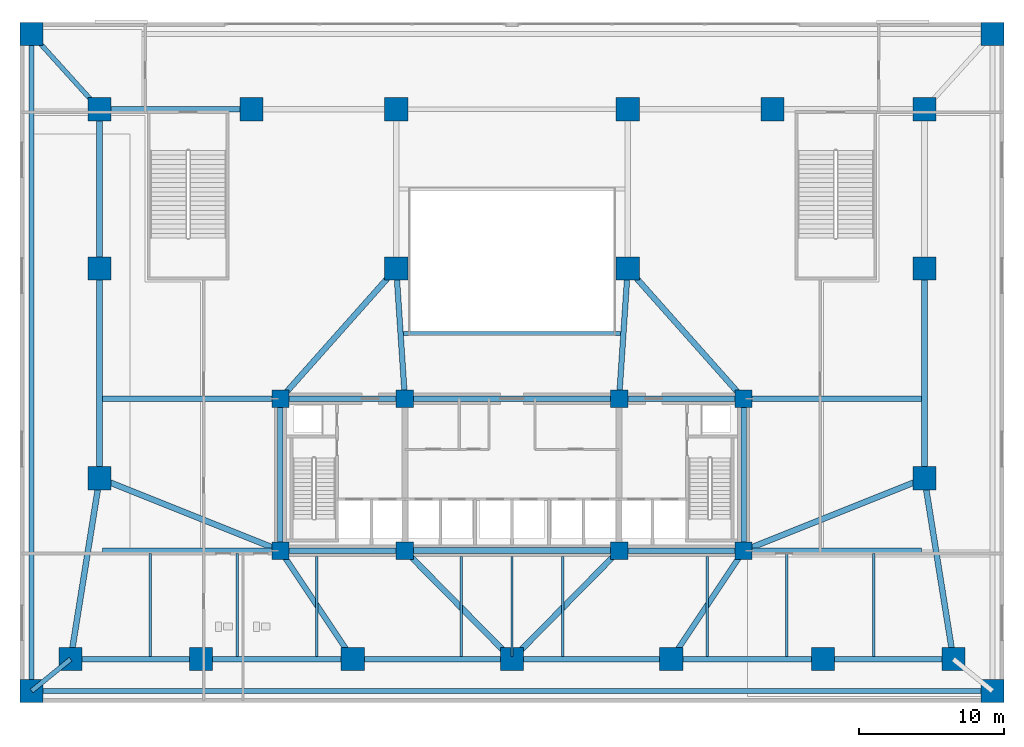
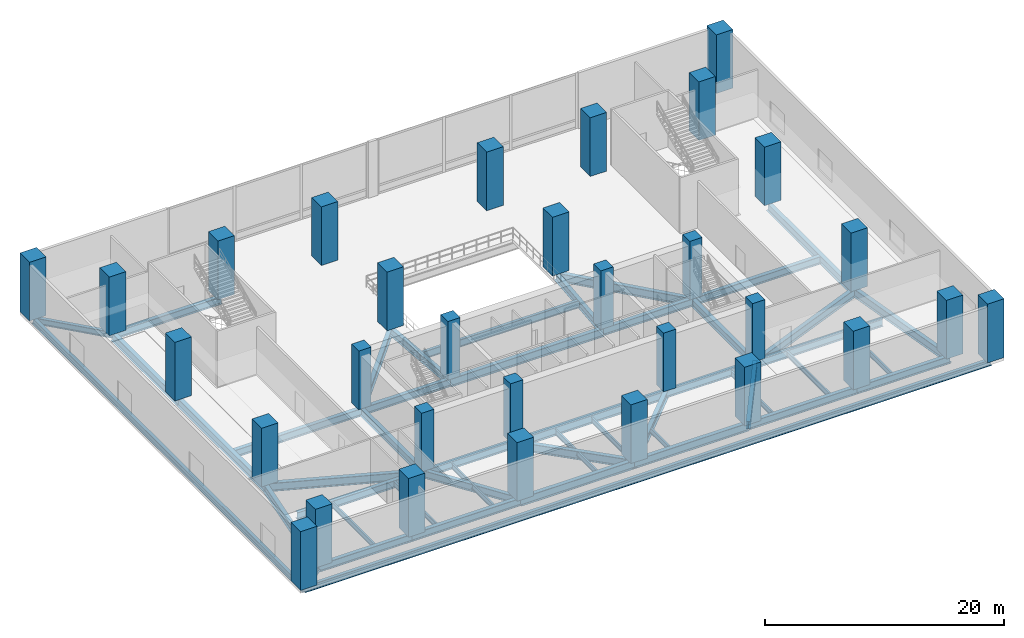
# One storey, part 1 of 16: 48 beams, 31 columns.
"""IFC4 building model written with IfcOpenShell, lengths in metres."""

from ifc_helpers import new_model, si_unit, direction, frame, origin, origin_2d, place, context, subcontext, project, spatial, rectangle, i_section, extrude, material, material_profile, profile_set, type_object, element, save


model = new_model("IFC4")

# Units and contexts
model_context = context("Model", 3, precision=1e-05, world=origin(), true_north=direction((0.0, 1.0)))
body_context = subcontext(model_context, "Body", "Model", "MODEL_VIEW")
ifc_project = project(units=[si_unit("LENGTHUNIT", "METRE"), si_unit("AREAUNIT", "SQUARE_METRE"), si_unit("VOLUMEUNIT", "CUBIC_METRE"), si_unit("PLANEANGLEUNIT", "RADIAN"), si_unit("MASSUNIT", "GRAM", prefix="KILO")], contexts=[model_context])

# Site, building, storey
site_placement = place(None, origin())
site = spatial("IfcSite", under=ifc_project, at=site_placement, CompositionType="ELEMENT")
building_placement = place(site_placement, origin())
building = spatial("IfcBuilding", under=site, at=building_placement, Name="Solmavex Isthmus Hotel", CompositionType="ELEMENT")
storey_placement = place(building_placement, frame((0.0, 0.0, 5.39990234375)))
storey = spatial("IfcBuildingStorey", under=building, at=storey_placement, Name="L02", CompositionType="ELEMENT", Elevation=5.39990234375)

# Columns
ifc_material_1 = material(Name="Concrete C70/85", Category="concrete")
ifc_material_profile_1 = material_profile(ifc_material_1, rectangle(XDim=1.199951171875, YDim=1.199951171875, at=origin_2d()), Name="RC1200X1200")
ifc_profile_set_1 = profile_set([ifc_material_profile_1], Name="Concrete C70/85")
column_type_1 = type_object("IfcColumnType", Name="COL-CC-1200", PredefinedType="COLUMN", material=ifc_profile_set_1)
for number, where, z_axis, x_axis, name in (
    (1, (-16.0, -13.0, 0.0), (0.0, 0.0, 1.0), (1.0, 0.0, 0.0), "Core Pilaster CC-SW L02"),
    (2, (-7.39990234375, -13.0, 0.0), (0.0, 0.0, 1.0), (1.0, 0.0, 0.0), "Core Pilaster CC-S1 L02"),
    (3, (7.39990234375, -13.0, 0.0), (0.0, 0.0, 1.0), (1.0, 0.0, 0.0), "Core Pilaster CC-S2 L02"),
    (4, (16.0, -13.0, 0.0), (0.0, 0.0, 1.0), (1.0, 0.0, 0.0), "Core Pilaster CC-SE L02"),
    (5, (-16.0, -2.5, 0.0), (0.0, 0.0, 1.0), (1.0, 0.0, 0.0), "Core Pilaster CC-NW L02"),
    (6, (-7.39990234375, -2.5, 0.0), (0.0, 0.0, 1.0), (1.0, 0.0, 0.0), "Core Pilaster CC-N1 L02"),
    (7, (7.39990234375, -2.5, 0.0), (0.0, 0.0, 1.0), (1.0, 0.0, 0.0), "Core Pilaster CC-N2 L02"),
    (8, (16.0, -2.5, 0.0), (0.0, 0.0, 1.0), (1.0, 0.0, 0.0), "Core Pilaster CC-NE L02"),
):
    element("IfcColumn", number, at=place(storey_placement, frame(where, z_axis=z_axis, x_axis=x_axis)), inside=storey, type_object=column_type_1, Name=name, PredefinedType="COLUMN", context=body_context, shape_type="SweptSolid", body=[
        extrude(rectangle(XDim=1.199951171875, YDim=1.199951171875, at=origin_2d()), origin(), (0.0, 0.0, 1.0), 6.0),
    ])
ifc_material_profile_2 = material_profile(ifc_material_1, rectangle(XDim=1.60009765625, YDim=1.60009765625, at=origin_2d()), Name="RC1600X1600")
ifc_profile_set_2 = profile_set([ifc_material_profile_2], Name="Concrete C70/85")
column_type_2 = type_object("IfcColumnType", Name="COL-MC-1600", PredefinedType="COLUMN", material=ifc_profile_set_2)
for number, where, z_axis, x_axis, name in (
    (9, (-33.199951171875, -22.699951171875, 0.0), (0.0, 0.0, 1.0), (1.0, 0.0, 0.0), "Podium Mega Column MC-SW L02"),
    (10, (33.199951171875, -22.699951171875, 0.0), (0.0, 0.0, 1.0), (1.0, 0.0, 0.0), "Podium Mega Column MC-SE L02"),
    (11, (-33.199951171875, 22.699951171875, 0.0), (0.0, 0.0, 1.0), (1.0, 0.0, 0.0), "Podium Mega Column MC-NW L02"),
    (12, (33.199951171875, 22.699951171875, 0.0), (0.0, 0.0, 1.0), (1.0, 0.0, 0.0), "Podium Mega Column MC-NE L02"),
    (13, (-30.5, -20.5, 0.0), (0.0, 0.0, 1.0), (1.0, 0.0, 0.0), "Podium Mega Column MC-S1 L02"),
    (14, (-21.5, -20.5, 0.0), (0.0, 0.0, 1.0), (1.0, 0.0, 0.0), "Podium Mega Column MC-S2 L02"),
    (15, (-11.0, -20.5, 0.0), (0.0, 0.0, 1.0), (1.0, 0.0, 0.0), "Podium Mega Column MC-S3 L02"),
    (16, (0.0, -20.5, 0.0), (0.0, 0.0, 1.0), (1.0, 0.0, 0.0), "Podium Mega Column MC-S4 L02"),
    (17, (11.0, -20.5, 0.0), (0.0, 0.0, 1.0), (1.0, 0.0, 0.0), "Podium Mega Column MC-S5 L02"),
    (18, (21.5, -20.5, 0.0), (0.0, 0.0, 1.0), (1.0, 0.0, 0.0), "Podium Mega Column MC-S6 L02"),
    (19, (30.5, -20.5, 0.0), (0.0, 0.0, 1.0), (1.0, 0.0, 0.0), "Podium Mega Column MC-S7 L02"),
    (20, (-28.5, -8.0, 0.0), (0.0, 0.0, 1.0), (1.0, 0.0, 0.0), "Podium Mega Column MC-W1 L02"),
    (21, (28.5, -8.0, 0.0), (0.0, 0.0, 1.0), (1.0, 0.0, 0.0), "Podium Mega Column MC-E1 L02"),
    (22, (-28.5, 6.5, 0.0), (0.0, 0.0, 1.0), (1.0, 0.0, 0.0), "Podium Mega Column MC-M1 L02"),
    (23, (-8.0, 6.5, 0.0), (0.0, 0.0, 1.0), (1.0, 0.0, 0.0), "Podium Mega Column MC-M2 L02"),
    (24, (8.0, 6.5, 0.0), (0.0, 0.0, 1.0), (1.0, 0.0, 0.0), "Podium Mega Column MC-M3 L02"),
    (25, (28.5, 6.5, 0.0), (0.0, 0.0, 1.0), (1.0, 0.0, 0.0), "Podium Mega Column MC-M4 L02"),
    (26, (-28.5, 17.5, 0.0), (0.0, 0.0, 1.0), (1.0, 0.0, 0.0), "Podium Mega Column MC-N1 L02"),
    (27, (-18.0, 17.5, 0.0), (0.0, 0.0, 1.0), (1.0, 0.0, 0.0), "Podium Mega Column MC-N2 L02"),
    (28, (-8.0, 17.5, 0.0), (0.0, 0.0, 1.0), (1.0, 0.0, 0.0), "Podium Mega Column MC-N3 L02"),
    (29, (8.0, 17.5, 0.0), (0.0, 0.0, 1.0), (1.0, 0.0, 0.0), "Podium Mega Column MC-N4 L02"),
    (30, (18.0, 17.5, 0.0), (0.0, 0.0, 1.0), (1.0, 0.0, 0.0), "Podium Mega Column MC-N5 L02"),
    (31, (28.5, 17.5, 0.0), (0.0, 0.0, 1.0), (1.0, 0.0, 0.0), "Podium Mega Column MC-N6 L02"),
):
    element("IfcColumn", number, at=place(storey_placement, frame(where, z_axis=z_axis, x_axis=x_axis)), inside=storey, type_object=column_type_2, Name=name, PredefinedType="COLUMN", context=body_context, shape_type="SweptSolid", body=[
        extrude(rectangle(XDim=1.60009765625, YDim=1.60009765625, at=origin_2d()), origin(), (0.0, 0.0, 1.0), 6.0),
    ])

# Beams
ifc_material_2 = material(Name="Steel ASTM A992 Grade 50", Category="steel")
ifc_material_profile_3 = material_profile(ifc_material_2, i_section(OverallWidth=0.2666015625, OverallDepth=0.76220703125, WebThickness=0.014404296875, FlangeThickness=0.021484375, FilletRadius=0.01904296875, at=origin_2d()), Name="W30X116")
ifc_profile_set_3 = profile_set([ifc_material_profile_3], Name="Steel ASTM A992 Grade 50")
beam_type_1 = type_object("IfcBeamType", Name="BM-BG-W30X116", PredefinedType="BEAM", material=ifc_profile_set_3)
beam_1_placement = place(storey_placement, frame((-7.81005859375, 2.0, -0.68115234375), z_axis=(1.0, 0.0, 0.0), x_axis=(0.0, 1.0, 0.0)))
element("IfcBeam", 32, at=beam_1_placement, inside=storey, type_object=beam_type_1, Name="Atrium Trimmer Girder L02-AT1", PredefinedType="BEAM", context=body_context, shape_type="SweptSolid", body=[
    extrude(i_section(OverallWidth=0.2666015625, OverallDepth=0.76220703125, WebThickness=0.014404296875, FlangeThickness=0.021484375, FilletRadius=0.01904296875, at=origin_2d()), origin(), (0.0, 0.0, 1.0), 15.6201171875),
])
ifc_material_profile_4 = material_profile(ifc_material_2, i_section(OverallWidth=0.380615234375, OverallDepth=0.773193359375, WebThickness=0.0166015625, FlangeThickness=0.027099609375, FilletRadius=0.01904296875, at=origin_2d()), Name="W30X173")
ifc_profile_set_4 = profile_set([ifc_material_profile_4], Name="Steel ASTM A992 Grade 50")
beam_type_2 = type_object("IfcBeamType", Name="BM-BG-W30X173", PredefinedType="BEAM", material=ifc_profile_set_4)
beam_2_placement = place(storey_placement, frame((-30.5, -20.5, -0.6865234375), z_axis=(1.0, 0.0, 0.0), x_axis=(0.0, 1.0, 0.0)))
element("IfcBeam", 33, at=beam_2_placement, inside=storey, type_object=beam_type_2, Name="Podium Primary Girder L02-G01", PredefinedType="BEAM", context=body_context, shape_type="SweptSolid", body=[
    extrude(i_section(OverallWidth=0.380615234375, OverallDepth=0.773193359375, WebThickness=0.0166015625, FlangeThickness=0.027099609375, FilletRadius=0.01904296875, at=origin_2d()), origin(), (0.0, 0.0, 1.0), 9.0),
])
for number, where, z_axis, x_axis, name in (
    (34, (-21.5, -20.5, -0.6865234375), (1.0, 0.0, 0.0), (0.0, 1.0, 0.0), "Podium Primary Girder L02-G02"),
    (35, (11.0, -20.5, -0.6865234375), (1.0, 0.0, 0.0), (0.0, 1.0, 0.0), "Podium Primary Girder L02-G05"),
):
    element("IfcBeam", number, at=place(storey_placement, frame(where, z_axis=z_axis, x_axis=x_axis)), inside=storey, type_object=beam_type_2, Name=name, PredefinedType="BEAM", context=body_context, shape_type="SweptSolid", body=[
        extrude(i_section(OverallWidth=0.380615234375, OverallDepth=0.773193359375, WebThickness=0.0166015625, FlangeThickness=0.027099609375, FilletRadius=0.01904296875, at=origin_2d()), origin(), (0.0, 0.0, 1.0), 10.5),
    ])
beam_3_placement = place(storey_placement, frame((21.5, -20.5, -0.6865234375), z_axis=(1.0, 0.0, 0.0), x_axis=(0.0, 1.0, 0.0)))
element("IfcBeam", 36, at=beam_3_placement, inside=storey, type_object=beam_type_2, Name="Podium Primary Girder L02-G06", PredefinedType="BEAM", context=body_context, shape_type="SweptSolid", body=[
    extrude(i_section(OverallWidth=0.380615234375, OverallDepth=0.773193359375, WebThickness=0.0166015625, FlangeThickness=0.027099609375, FilletRadius=0.01904296875, at=origin_2d()), origin(), (0.0, 0.0, 1.0), 9.0),
])
beam_4_placement = place(storey_placement, frame((-28.5, 17.5, -0.6865234375), z_axis=(1.0, 0.0, 0.0), x_axis=(0.0, 1.0, 0.0)))
element("IfcBeam", 37, at=beam_4_placement, inside=storey, type_object=beam_type_2, Name="Podium Primary Girder L02-G07", PredefinedType="BEAM", context=body_context, shape_type="SweptSolid", body=[
    extrude(i_section(OverallWidth=0.380615234375, OverallDepth=0.773193359375, WebThickness=0.0166015625, FlangeThickness=0.027099609375, FilletRadius=0.01904296875, at=origin_2d()), origin(), (0.0, 0.0, 1.0), 10.5),
])
for number, where, z_axis, x_axis, name in (
    (38, (-11.0, -20.5, -0.6865234375), (-0.554700196225, 0.832050294338, 0.0), (-0.832050294338, -0.554700196225, 0.0), "Podium Primary Girder L02-G21"),
    (39, (11.0, -20.5, -0.6865234375), (0.554700196225, 0.832050294338, 0.0), (-0.832050294338, 0.554700196225, 0.0), "Podium Primary Girder L02-G24"),
):
    element("IfcBeam", number, at=place(storey_placement, frame(where, z_axis=z_axis, x_axis=x_axis)), inside=storey, type_object=beam_type_2, Name=name, PredefinedType="BEAM", context=body_context, shape_type="SweptSolid", body=[
        extrude(i_section(OverallWidth=0.380615234375, OverallDepth=0.773193359375, WebThickness=0.0166015625, FlangeThickness=0.027099609375, FilletRadius=0.01904296875, at=origin_2d()), origin(), (0.0, 0.0, 1.0), 9.013916015625),
    ])
for number, where, z_axis, x_axis, name in (
    (40, (-7.39990234375, -2.5, -0.6865234375), (-0.066529789268, 0.997784439215, 0.0), (-0.997784439215, -0.066529789268, 0.0), "Podium Primary Girder L02-G26"),
    (41, (7.39990234375, -2.5, -0.6865234375), (0.066529789268, 0.997784439215, 0.0), (-0.997784439215, 0.066529789268, 0.0), "Podium Primary Girder L02-G27"),
):
    element("IfcBeam", number, at=place(storey_placement, frame(where, z_axis=z_axis, x_axis=x_axis)), inside=storey, type_object=beam_type_2, Name=name, PredefinedType="BEAM", context=body_context, shape_type="SweptSolid", body=[
        extrude(i_section(OverallWidth=0.380615234375, OverallDepth=0.773193359375, WebThickness=0.0166015625, FlangeThickness=0.027099609375, FilletRadius=0.01904296875, at=origin_2d()), origin(), (0.0, 0.0, 1.0), 9.02001953125),
    ])
for number, where, z_axis, x_axis, name in (
    (42, (-16.0, -13.0, -0.6865234375), (1.0, 0.0, 0.0), (0.0, 1.0, 0.0), "Podium Primary Girder L02-G33"),
    (43, (7.39990234375, -13.0, -0.6865234375), (1.0, 0.0, 0.0), (0.0, 1.0, 0.0), "Podium Primary Girder L02-G35"),
    (44, (-16.0, -2.5, -0.6865234375), (1.0, 0.0, 0.0), (0.0, 1.0, 0.0), "Podium Primary Girder L02-G36"),
    (45, (7.39990234375, -2.5, -0.6865234375), (1.0, 0.0, 0.0), (0.0, 1.0, 0.0), "Podium Primary Girder L02-G38"),
):
    element("IfcBeam", number, at=place(storey_placement, frame(where, z_axis=z_axis, x_axis=x_axis)), inside=storey, type_object=beam_type_2, Name=name, PredefinedType="BEAM", context=body_context, shape_type="SweptSolid", body=[
        extrude(i_section(OverallWidth=0.380615234375, OverallDepth=0.773193359375, WebThickness=0.0166015625, FlangeThickness=0.027099609375, FilletRadius=0.01904296875, at=origin_2d()), origin(), (0.0, 0.0, 1.0), 8.60009765625),
    ])
for number, where, z_axis, x_axis, name in (
    (46, (-16.0, -13.0, -0.6865234375), (0.0, 1.0, 0.0), (-1.0, 0.0, 0.0), "Podium Primary Girder L02-G39"),
    (47, (16.0, -13.0, -0.6865234375), (0.0, 1.0, 0.0), (-1.0, 0.0, 0.0), "Podium Primary Girder L02-G40"),
):
    element("IfcBeam", number, at=place(storey_placement, frame(where, z_axis=z_axis, x_axis=x_axis)), inside=storey, type_object=beam_type_2, Name=name, PredefinedType="BEAM", context=body_context, shape_type="SweptSolid", body=[
        extrude(i_section(OverallWidth=0.380615234375, OverallDepth=0.773193359375, WebThickness=0.0166015625, FlangeThickness=0.027099609375, FilletRadius=0.01904296875, at=origin_2d()), origin(), (0.0, 0.0, 1.0), 10.5),
    ])
for number, where, z_axis, x_axis, name in (
    (48, (-28.31005859375, -2.5, -0.6865234375), (1.0, 0.0, 0.0), (0.0, 1.0, 0.0), "Podium Wing Collector Girder L02-EW01"),
    (49, (16.0, -2.5, -0.6865234375), (1.0, 0.0, 0.0), (0.0, 1.0, 0.0), "Podium Wing Collector Girder L02-EW02"),
    (50, (-28.31005859375, -13.0, -0.6865234375), (1.0, 0.0, 0.0), (0.0, 1.0, 0.0), "Podium Wing Collector Girder L02-EW03"),
    (51, (16.0, -13.0, -0.6865234375), (1.0, 0.0, 0.0), (0.0, 1.0, 0.0), "Podium Wing Collector Girder L02-EW04"),
):
    element("IfcBeam", number, at=place(storey_placement, frame(where, z_axis=z_axis, x_axis=x_axis)), inside=storey, type_object=beam_type_2, Name=name, PredefinedType="BEAM", context=body_context, shape_type="SweptSolid", body=[
        extrude(i_section(OverallWidth=0.380615234375, OverallDepth=0.773193359375, WebThickness=0.0166015625, FlangeThickness=0.027099609375, FilletRadius=0.01904296875, at=origin_2d()), origin(), (0.0, 0.0, 1.0), 12.31005859375),
    ])
ifc_material_profile_5 = material_profile(ifc_material_2, i_section(OverallWidth=0.39990234375, OverallDepth=0.85546875, WebThickness=0.018310546875, FlangeThickness=0.029296875, FilletRadius=0.020263671875, at=origin_2d()), Name="W33X201")
ifc_profile_set_5 = profile_set([ifc_material_profile_5], Name="Steel ASTM A992 Grade 50")
beam_type_3 = type_object("IfcBeamType", Name="BM-BG-W33X201", PredefinedType="BEAM", material=ifc_profile_set_5)
for number, where, z_axis, x_axis, name in (
    (52, (-11.0, -20.5, -0.7275390625), (1.0, 0.0, 0.0), (0.0, 1.0, 0.0), "Podium Primary Girder L02-G03"),
    (53, (0.0, -20.5, -0.7275390625), (1.0, 0.0, 0.0), (0.0, 1.0, 0.0), "Podium Primary Girder L02-G04"),
):
    element("IfcBeam", number, at=place(storey_placement, frame(where, z_axis=z_axis, x_axis=x_axis)), inside=storey, type_object=beam_type_3, Name=name, PredefinedType="BEAM", context=body_context, shape_type="SweptSolid", body=[
        extrude(i_section(OverallWidth=0.39990234375, OverallDepth=0.85546875, WebThickness=0.018310546875, FlangeThickness=0.029296875, FilletRadius=0.020263671875, at=origin_2d()), origin(), (0.0, 0.0, 1.0), 11.0),
    ])
beam_5_placement = place(storey_placement, frame((-30.5, -20.5, -0.7275390625), z_axis=(0.157990501107, 0.987440631917, 0.0), x_axis=(-0.987440631917, 0.157990501107, 0.0)))
element("IfcBeam", 54, at=beam_5_placement, inside=storey, type_object=beam_type_3, Name="Podium Primary Girder L02-G12", PredefinedType="BEAM", context=body_context, shape_type="SweptSolid", body=[
    extrude(i_section(OverallWidth=0.39990234375, OverallDepth=0.85546875, WebThickness=0.018310546875, FlangeThickness=0.029296875, FilletRadius=0.020263671875, at=origin_2d()), origin(), (0.0, 0.0, 1.0), 12.658935546875),
])
beam_6_placement = place(storey_placement, frame((-28.5, -8.0, -0.7275390625), z_axis=(0.0, 1.0, 0.0), x_axis=(-1.0, 0.0, 0.0)))
element("IfcBeam", 55, at=beam_6_placement, inside=storey, type_object=beam_type_3, Name="Podium Primary Girder L02-G13", PredefinedType="BEAM", context=body_context, shape_type="SweptSolid", body=[
    extrude(i_section(OverallWidth=0.39990234375, OverallDepth=0.85546875, WebThickness=0.018310546875, FlangeThickness=0.029296875, FilletRadius=0.020263671875, at=origin_2d()), origin(), (0.0, 0.0, 1.0), 14.5),
])
beam_7_placement = place(storey_placement, frame((-28.5, 6.5, -0.7275390625), z_axis=(0.0, 1.0, 0.0), x_axis=(-1.0, 0.0, 0.0)))
element("IfcBeam", 56, at=beam_7_placement, inside=storey, type_object=beam_type_3, Name="Podium Primary Girder L02-G14", PredefinedType="BEAM", context=body_context, shape_type="SweptSolid", body=[
    extrude(i_section(OverallWidth=0.39990234375, OverallDepth=0.85546875, WebThickness=0.018310546875, FlangeThickness=0.029296875, FilletRadius=0.020263671875, at=origin_2d()), origin(), (0.0, 0.0, 1.0), 11.0),
])
beam_8_placement = place(storey_placement, frame((30.5, -20.5, -0.7275390625), z_axis=(-0.157990501107, 0.987440631917, 0.0), x_axis=(-0.987440631917, -0.157990501107, 0.0)))
element("IfcBeam", 57, at=beam_8_placement, inside=storey, type_object=beam_type_3, Name="Podium Primary Girder L02-G15", PredefinedType="BEAM", context=body_context, shape_type="SweptSolid", body=[
    extrude(i_section(OverallWidth=0.39990234375, OverallDepth=0.85546875, WebThickness=0.018310546875, FlangeThickness=0.029296875, FilletRadius=0.020263671875, at=origin_2d()), origin(), (0.0, 0.0, 1.0), 12.658935546875),
])
beam_9_placement = place(storey_placement, frame((28.5, -8.0, -0.7275390625), z_axis=(0.0, 1.0, 0.0), x_axis=(-1.0, 0.0, 0.0)))
element("IfcBeam", 58, at=beam_9_placement, inside=storey, type_object=beam_type_3, Name="Podium Primary Girder L02-G16", PredefinedType="BEAM", context=body_context, shape_type="SweptSolid", body=[
    extrude(i_section(OverallWidth=0.39990234375, OverallDepth=0.85546875, WebThickness=0.018310546875, FlangeThickness=0.029296875, FilletRadius=0.020263671875, at=origin_2d()), origin(), (0.0, 0.0, 1.0), 14.5),
])
for number, where, z_axis, x_axis, name in (
    (59, (0.0, -20.5, -0.7275390625), (-0.702340583794, 0.711841066781, 0.0), (-0.711841066781, -0.702340583794, 0.0), "Podium Primary Girder L02-G22"),
    (60, (0.0, -20.5, -0.7275390625), (0.702340583794, 0.711841066781, 0.0), (-0.711841066781, 0.702340583794, 0.0), "Podium Primary Girder L02-G23"),
):
    element("IfcBeam", number, at=place(storey_placement, frame(where, z_axis=z_axis, x_axis=x_axis)), inside=storey, type_object=beam_type_3, Name=name, PredefinedType="BEAM", context=body_context, shape_type="SweptSolid", body=[
        extrude(i_section(OverallWidth=0.39990234375, OverallDepth=0.85546875, WebThickness=0.018310546875, FlangeThickness=0.029296875, FilletRadius=0.020263671875, at=origin_2d()), origin(), (0.0, 0.0, 1.0), 10.5361328125),
    ])
for number, where, z_axis, x_axis, name in (
    (61, (-16.0, -2.5, -0.7275390625), (0.66436383883, 0.747409318684, 0.0), (-0.747409318684, 0.66436383883, 0.0), "Podium Primary Girder L02-G25"),
    (62, (16.0, -2.5, -0.7275390625), (-0.66436383883, 0.747409318684, 0.0), (-0.747409318684, -0.66436383883, 0.0), "Podium Primary Girder L02-G28"),
):
    element("IfcBeam", number, at=place(storey_placement, frame(where, z_axis=z_axis, x_axis=x_axis)), inside=storey, type_object=beam_type_3, Name=name, PredefinedType="BEAM", context=body_context, shape_type="SweptSolid", body=[
        extrude(i_section(OverallWidth=0.39990234375, OverallDepth=0.85546875, WebThickness=0.018310546875, FlangeThickness=0.029296875, FilletRadius=0.020263671875, at=origin_2d()), origin(), (0.0, 0.0, 1.0), 12.04150390625),
    ])
for number, where, z_axis, x_axis, name in (
    (63, (-28.5, -8.0, -0.7275390625), (0.928476690885, -0.371390676354, 0.0), (0.371390676354, 0.928476690885, 0.0), "Podium Primary Girder L02-G31"),
    (64, (28.5, -8.0, -0.7275390625), (-0.928476690885, -0.371390676354, 0.0), (0.371390676354, -0.928476690885, 0.0), "Podium Primary Girder L02-G32"),
):
    element("IfcBeam", number, at=place(storey_placement, frame(where, z_axis=z_axis, x_axis=x_axis)), inside=storey, type_object=beam_type_3, Name=name, PredefinedType="BEAM", context=body_context, shape_type="SweptSolid", body=[
        extrude(i_section(OverallWidth=0.39990234375, OverallDepth=0.85546875, WebThickness=0.018310546875, FlangeThickness=0.029296875, FilletRadius=0.020263671875, at=origin_2d()), origin(), (0.0, 0.0, 1.0), 13.462890625),
    ])
for number, where, z_axis, x_axis, name in (
    (65, (-7.39990234375, -13.0, -0.7275390625), (1.0, 0.0, 0.0), (0.0, 1.0, 0.0), "Podium Primary Girder L02-G34"),
    (66, (-7.39990234375, -2.5, -0.7275390625), (1.0, 0.0, 0.0), (0.0, 1.0, 0.0), "Podium Primary Girder L02-G37"),
):
    element("IfcBeam", number, at=place(storey_placement, frame(where, z_axis=z_axis, x_axis=x_axis)), inside=storey, type_object=beam_type_3, Name=name, PredefinedType="BEAM", context=body_context, shape_type="SweptSolid", body=[
        extrude(i_section(OverallWidth=0.39990234375, OverallDepth=0.85546875, WebThickness=0.018310546875, FlangeThickness=0.029296875, FilletRadius=0.020263671875, at=origin_2d()), origin(), (0.0, 0.0, 1.0), 14.7998046875),
    ])
ifc_material_profile_6 = material_profile(ifc_material_2, i_section(OverallWidth=0.16650390625, OverallDepth=0.534912109375, WebThickness=0.01025390625, FlangeThickness=0.0166015625, FilletRadius=0.013916015625, at=origin_2d()), Name="W21X57")
ifc_profile_set_6 = profile_set([ifc_material_profile_6], Name="Steel ASTM A992 Grade 50")
beam_type_4 = type_object("IfcBeamType", Name="BM-BJ-W21X57", PredefinedType="JOIST", material=ifc_profile_set_6)
for number, where, z_axis, x_axis, name in (
    (67, (-25.0, -20.309814453125, -0.5673828125), (0.0, 1.0, 0.0), (-1.0, 0.0, 0.0), "Podium Composite Floor Joist L02-J01"),
    (68, (-19.0, -20.309814453125, -0.5673828125), (0.0, 1.0, 0.0), (-1.0, 0.0, 0.0), "Podium Composite Floor Joist L02-J02"),
):
    element("IfcBeam", number, at=place(storey_placement, frame(where, z_axis=z_axis, x_axis=x_axis)), inside=storey, type_object=beam_type_4, Name=name, PredefinedType="JOIST", context=body_context, shape_type="SweptSolid", body=[
        extrude(i_section(OverallWidth=0.16650390625, OverallDepth=0.534912109375, WebThickness=0.01025390625, FlangeThickness=0.0166015625, FilletRadius=0.013916015625, at=origin_2d()), origin(), (0.0, 0.0, 1.0), 7.11962890625),
    ])
beam_10_placement = place(storey_placement, frame((-13.5, -20.309814453125, -0.5673828125), z_axis=(0.0, 1.0, 0.0), x_axis=(-1.0, 0.0, 0.0)))
element("IfcBeam", 69, at=beam_10_placement, inside=storey, type_object=beam_type_4, Name="Podium Composite Floor Joist L02-J03", PredefinedType="JOIST", context=body_context, shape_type="SweptSolid", body=[
    extrude(i_section(OverallWidth=0.16650390625, OverallDepth=0.534912109375, WebThickness=0.01025390625, FlangeThickness=0.0166015625, FilletRadius=0.013916015625, at=origin_2d()), origin(), (0.0, 0.0, 1.0), 6.909912109375),
])
for number, where, z_axis, x_axis, name in (
    (70, (-3.5, -20.300048828125, -0.5673828125), (0.0, 1.0, 0.0), (-1.0, 0.0, 0.0), "Podium Composite Floor Joist L02-J04"),
    (71, (0.0, -20.300048828125, -0.5673828125), (0.0, 1.0, 0.0), (-1.0, 0.0, 0.0), "Podium Composite Floor Joist L02-J05"),
    (72, (3.5, -20.300048828125, -0.5673828125), (0.0, 1.0, 0.0), (-1.0, 0.0, 0.0), "Podium Composite Floor Joist L02-J06"),
):
    element("IfcBeam", number, at=place(storey_placement, frame(where, z_axis=z_axis, x_axis=x_axis)), inside=storey, type_object=beam_type_4, Name=name, PredefinedType="JOIST", context=body_context, shape_type="SweptSolid", body=[
        extrude(i_section(OverallWidth=0.16650390625, OverallDepth=0.534912109375, WebThickness=0.01025390625, FlangeThickness=0.0166015625, FilletRadius=0.013916015625, at=origin_2d()), origin(), (0.0, 0.0, 1.0), 6.900146484375),
    ])
beam_11_placement = place(storey_placement, frame((13.5, -20.309814453125, -0.5673828125), z_axis=(0.0, 1.0, 0.0), x_axis=(-1.0, 0.0, 0.0)))
element("IfcBeam", 73, at=beam_11_placement, inside=storey, type_object=beam_type_4, Name="Podium Composite Floor Joist L02-J07", PredefinedType="JOIST", context=body_context, shape_type="SweptSolid", body=[
    extrude(i_section(OverallWidth=0.16650390625, OverallDepth=0.534912109375, WebThickness=0.01025390625, FlangeThickness=0.0166015625, FilletRadius=0.013916015625, at=origin_2d()), origin(), (0.0, 0.0, 1.0), 6.909912109375),
])
for number, where, z_axis, x_axis, name in (
    (74, (19.0, -20.309814453125, -0.5673828125), (0.0, 1.0, 0.0), (-1.0, 0.0, 0.0), "Podium Composite Floor Joist L02-J08"),
    (75, (25.0, -20.309814453125, -0.5673828125), (0.0, 1.0, 0.0), (-1.0, 0.0, 0.0), "Podium Composite Floor Joist L02-J09"),
):
    element("IfcBeam", number, at=place(storey_placement, frame(where, z_axis=z_axis, x_axis=x_axis)), inside=storey, type_object=beam_type_4, Name=name, PredefinedType="JOIST", context=body_context, shape_type="SweptSolid", body=[
        extrude(i_section(OverallWidth=0.16650390625, OverallDepth=0.534912109375, WebThickness=0.01025390625, FlangeThickness=0.0166015625, FilletRadius=0.013916015625, at=origin_2d()), origin(), (0.0, 0.0, 1.0), 7.11962890625),
    ])
ifc_material_profile_7 = material_profile(ifc_material_2, i_section(OverallWidth=0.326416015625, OverallDepth=0.621826171875, WebThickness=0.015380859375, FlangeThickness=0.0244140625, FilletRadius=0.01513671875, at=origin_2d()), Name="W24X131")
ifc_profile_set_7 = profile_set([ifc_material_profile_7], Name="Steel ASTM A992 Grade 50")
beam_type_5 = type_object("IfcBeamType", Name="BM-SP-W24X131", PredefinedType="SPANDREL", material=ifc_profile_set_7)
beam_12_placement = place(storey_placement, frame((-33.199951171875, -22.699951171875, -0.61083984375), z_axis=(0.77523625691, 0.631671390814, 0.0), x_axis=(-0.631671390814, 0.77523625691, 0.0)))
element("IfcBeam", 76, at=beam_12_placement, inside=storey, type_object=beam_type_5, Name="Podium Corner Perimeter Girder L02-CR01", PredefinedType="SPANDREL", context=body_context, shape_type="SweptSolid", body=[
    extrude(i_section(OverallWidth=0.326416015625, OverallDepth=0.621826171875, WebThickness=0.015380859375, FlangeThickness=0.0244140625, FilletRadius=0.01513671875, at=origin_2d()), origin(), (0.0, 0.0, 1.0), 3.482666015625),
])
beam_13_placement = place(storey_placement, frame((-33.199951171875, -22.699951171875, -0.61083984375), z_axis=(0.0, 1.0, 0.0), x_axis=(-1.0, 0.0, 0.0)))
element("IfcBeam", 77, at=beam_13_placement, inside=storey, type_object=beam_type_5, Name="Podium Corner Perimeter Girder L02-CR03", PredefinedType="SPANDREL", context=body_context, shape_type="SweptSolid", body=[
    extrude(i_section(OverallWidth=0.326416015625, OverallDepth=0.621826171875, WebThickness=0.015380859375, FlangeThickness=0.0244140625, FilletRadius=0.01513671875, at=origin_2d()), origin(), (0.0, 0.0, 1.0), 45.39990234375),
])
beam_14_placement = place(storey_placement, frame((-33.199951171875, 22.699951171875, -0.61083984375), z_axis=(0.670539300557, -0.741874009795, 0.0), x_axis=(0.741874009795, 0.670539300557, 0.0)))
element("IfcBeam", 78, at=beam_14_placement, inside=storey, type_object=beam_type_5, Name="Podium Corner Perimeter Girder L02-CR05", PredefinedType="SPANDREL", context=body_context, shape_type="SweptSolid", body=[
    extrude(i_section(OverallWidth=0.326416015625, OverallDepth=0.621826171875, WebThickness=0.015380859375, FlangeThickness=0.0244140625, FilletRadius=0.01513671875, at=origin_2d()), origin(), (0.0, 0.0, 1.0), 7.00927734375),
])
beam_15_placement = place(storey_placement, frame((-33.199951171875, -22.699951171875, -0.61083984375), z_axis=(1.0, 0.0, 0.0), x_axis=(0.0, 1.0, 0.0)))
element("IfcBeam", 79, at=beam_15_placement, inside=storey, type_object=beam_type_5, Name="Podium Edge Spandrel L02-SP01", PredefinedType="SPANDREL", context=body_context, shape_type="SweptSolid", body=[
    extrude(i_section(OverallWidth=0.326416015625, OverallDepth=0.621826171875, WebThickness=0.015380859375, FlangeThickness=0.0244140625, FilletRadius=0.01513671875, at=origin_2d()), origin(), (0.0, 0.0, 1.0), 66.39990234375),
])

save(model, "model.ifc")
